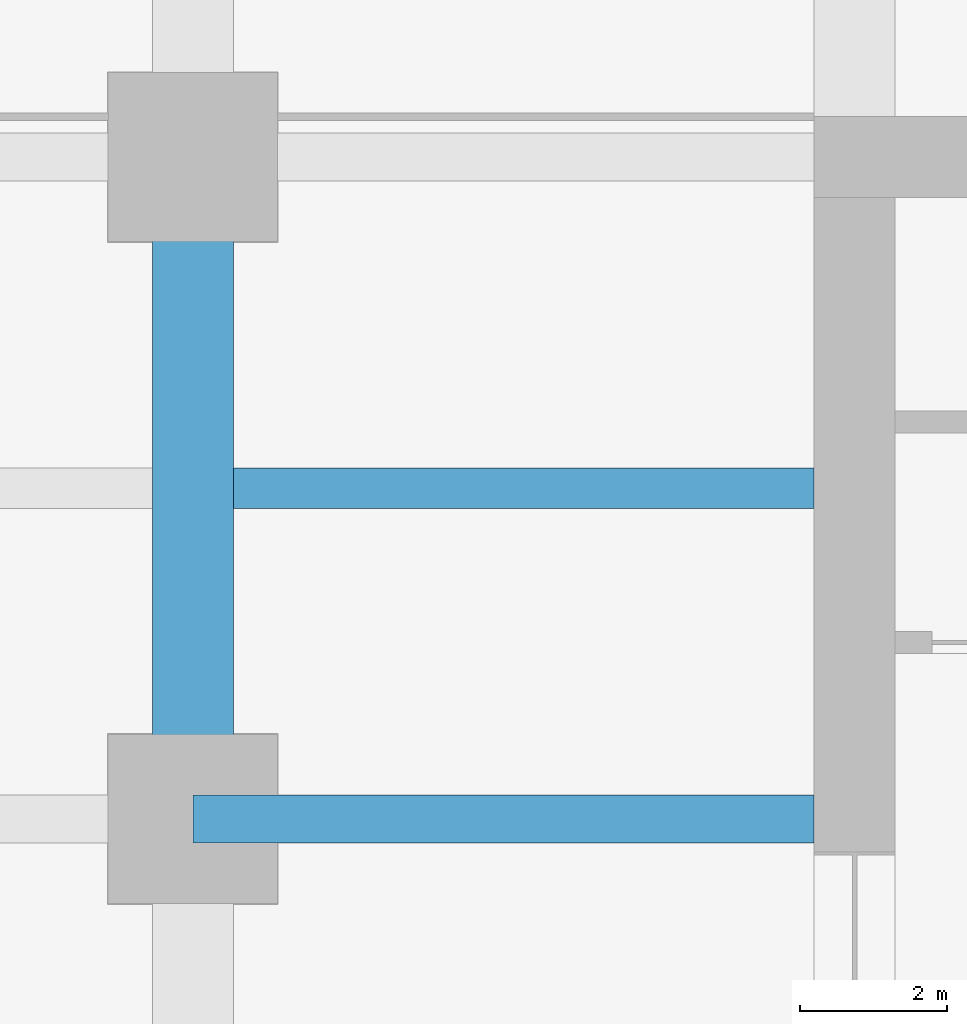
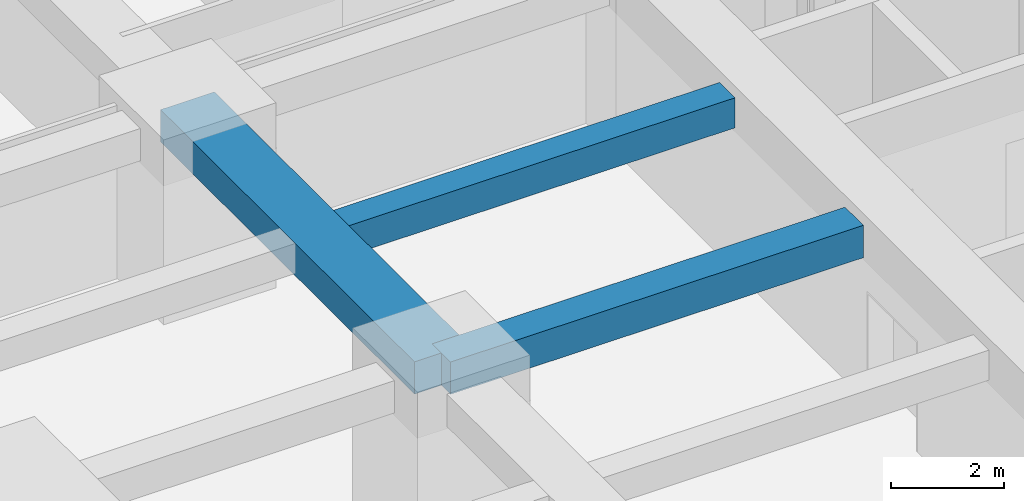
# One storey, part 12 of 50: 3 beams.
"""IFC4 building model written with IfcOpenShell, lengths in metres."""

from ifc_helpers import new_model, si_unit, direction, frame, origin, origin_2d, place, context, subcontext, project, spatial, rectangle, extrude, material, material_profile, profile_set, type_object, element, save


model = new_model("IFC4")

# Units and contexts
model_context = context("Model", 3, precision=1e-05, world=origin(), true_north=direction((0.0, 1.0)))
body_context = subcontext(model_context, "Body", "Model", "MODEL_VIEW")
ifc_project = project(units=[si_unit("LENGTHUNIT", "METRE"), si_unit("AREAUNIT", "SQUARE_METRE"), si_unit("VOLUMEUNIT", "CUBIC_METRE"), si_unit("PLANEANGLEUNIT", "RADIAN"), si_unit("MASSUNIT", "GRAM", prefix="KILO")], contexts=[model_context])

# Site, building, storey
site_placement = place(None, origin())
site = spatial("IfcSite", under=ifc_project, at=site_placement, CompositionType="ELEMENT")
building_placement = place(site_placement, origin())
building = spatial("IfcBuilding", under=site, at=building_placement, Name="Zorevar Civic Tower", CompositionType="ELEMENT")
storey_placement = place(building_placement, frame((0.0, 0.0, 85.0)))
storey = spatial("IfcBuildingStorey", under=building, at=storey_placement, Name="L20", CompositionType="ELEMENT", Elevation=85.0)

# Beams
ifc_material_1 = material(Name="Concrete C50/60", Category="concrete")
ifc_material_profile_1 = material_profile(ifc_material_1, rectangle(XDim=1.10009765625, YDim=0.699951171875, at=origin_2d()), Name="RC 1100x700")
ifc_profile_set_1 = profile_set([ifc_material_profile_1], Name="Concrete C50/60")
beam_type_1 = type_object("IfcBeamType", Name="Beam RC 1100x700", PredefinedType="BEAM", material=ifc_profile_set_1)
beam_1_placement = place(storey_placement, frame((9.0, 27.0, 3.39990234375), z_axis=(0.0, 1.0, 0.0), x_axis=(-1.0, 0.0, 0.0)))
element("IfcBeam", 1, at=beam_1_placement, inside=storey, type_object=beam_type_1, Name="Girder L21", PredefinedType="BEAM", context=body_context, shape_type="SweptSolid", body=[
    extrude(rectangle(XDim=1.10009765625, YDim=0.699951171875, at=origin_2d()), origin(), (0.0, 0.0, 1.0), 9.0),
])
ifc_material_2 = material(Name="Concrete C50/60", Category="concrete")
ifc_material_profile_2 = material_profile(ifc_material_2, rectangle(XDim=0.550048828125, YDim=0.64990234375, at=origin_2d()), Name="RC 550x650")
ifc_profile_set_2 = profile_set([ifc_material_profile_2], Name="Concrete C50/60")
beam_type_2 = type_object("IfcBeamType", Name="Beam RC 550x650", PredefinedType="BEAM", material=ifc_profile_set_2)
beam_2_placement = place(storey_placement, frame((9.550048828125, 31.5, 3.425048828125), z_axis=(1.0, 0.0, 0.0), x_axis=(0.0, 1.0, 0.0)))
element("IfcBeam", 2, at=beam_2_placement, inside=storey, type_object=beam_type_2, Name="Secondary beam L21", PredefinedType="BEAM", context=body_context, shape_type="SweptSolid", body=[
    extrude(rectangle(XDim=0.550048828125, YDim=0.64990234375, at=origin_2d()), origin(), (0.0, 0.0, 1.0), 7.89990234375),
])
ifc_material_3 = material(Name="Concrete C50/60", Category="concrete")
ifc_material_profile_3 = material_profile(ifc_material_3, rectangle(XDim=0.64990234375, YDim=0.699951171875, at=origin_2d()), Name="RC 650x700")
ifc_profile_set_3 = profile_set([ifc_material_profile_3], Name="Concrete C50/60")
beam_type_3 = type_object("IfcBeamType", Name="Beam RC 650x700", PredefinedType="BEAM", material=ifc_profile_set_3)
beam_3_placement = place(storey_placement, frame((9.0, 27.0, 3.39990234375), z_axis=(1.0, 0.0, 0.0), x_axis=(0.0, 1.0, 0.0)))
element("IfcBeam", 3, at=beam_3_placement, inside=storey, type_object=beam_type_3, Name="Girder L21", PredefinedType="BEAM", context=body_context, shape_type="SweptSolid", body=[
    extrude(rectangle(XDim=0.64990234375, YDim=0.699951171875, at=origin_2d()), origin(), (0.0, 0.0, 1.0), 8.449951171875),
])

save(model, "model.ifc")
